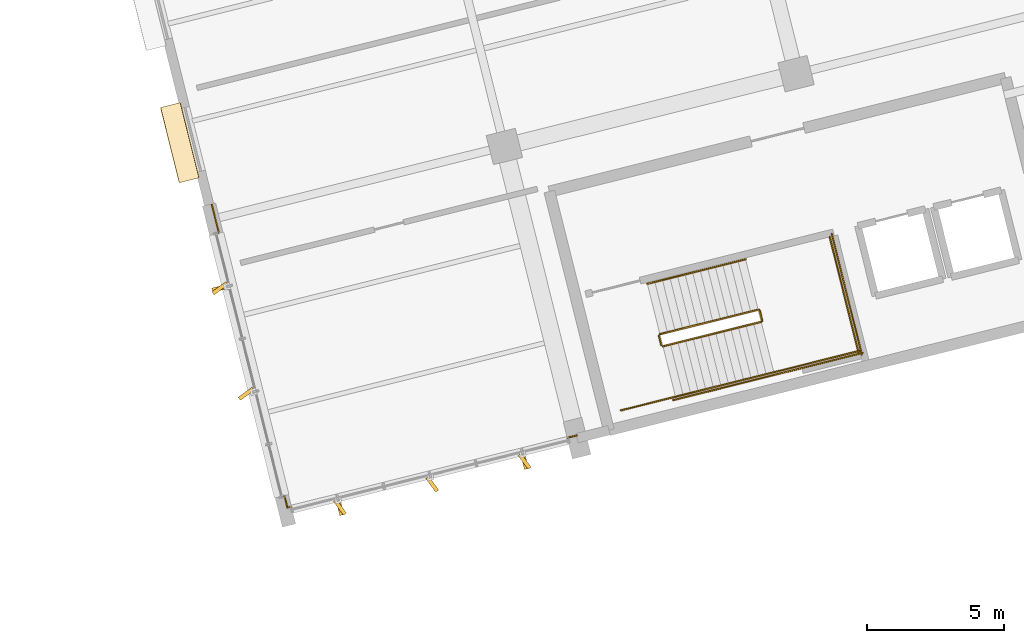
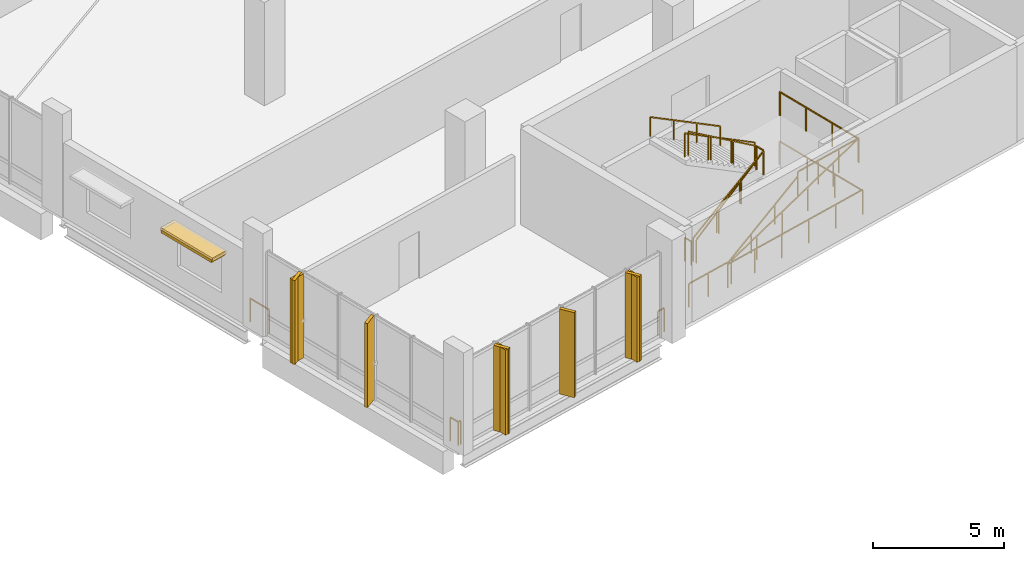
# One storey, part 132 of 137: 16 railings, 6 shading devices, 4 coverings.
"""IFC4 building model written with IfcOpenShell, lengths in metres."""

from ifc_helpers import new_model, si_unit, direction, frame, origin, origin_2d, place, context, subcontext, project, spatial, rectangle, extrude, material, layer, layer_set, type_object, element, save


model = new_model("IFC4")

# Units and contexts
model_context = context("Model", 3, precision=1e-05, world=origin(), true_north=direction((0.0, 1.0)))
body_context = subcontext(model_context, "Body", "Model", "MODEL_VIEW")
ifc_project = project(units=[si_unit("LENGTHUNIT", "METRE"), si_unit("AREAUNIT", "SQUARE_METRE"), si_unit("VOLUMEUNIT", "CUBIC_METRE"), si_unit("PLANEANGLEUNIT", "RADIAN"), si_unit("MASSUNIT", "GRAM", prefix="KILO")], contexts=[model_context])

# Site, building, storey
site_placement = place(None, origin())
site = spatial("IfcSite", under=ifc_project, at=site_placement, CompositionType="ELEMENT")
building_placement = place(site_placement, origin())
building = spatial("IfcBuilding", under=site, at=building_placement, Name="Khorjan Park Terminus", CompositionType="ELEMENT")
storey_placement = place(building_placement, frame((0.0, 0.0, 11.4)))
storey = spatial("IfcBuildingStorey", under=building, at=storey_placement, Name="L02", CompositionType="ELEMENT", Elevation=11.4)

# Coverings
ifc_material_1 = material(Name="Pigmented Precast GRC", Category="concrete")
ifc_layer_1 = layer(ifc_material_1, 0.16)
ifc_layer_set_1 = layer_set([ifc_layer_1], Name="Pigmented Precast GRC")
covering_type_1 = type_object("IfcCoveringType", Name="CV-FIN-GRC", PredefinedType="CLADDING", material=ifc_layer_set_1)
for number, where, z_axis, x_axis, name in (
    (1, (167.9974, 2.132, -0.02), (0.0, 0.0, 1.0), (-0.2419218956, 0.970295726276, 0.0), "Projecting desert-sandstone GRC facade fin CL-FN1 (CW-V5-S-L02-B01-1)"),
    (2, (174.7504, 3.8158, -0.02), (0.0, 0.0, 1.0), (-0.2419218956, 0.970295726276, 0.0), "Projecting desert-sandstone GRC facade fin CL-FN1 (CW-V5-S-L02-B01-5)"),
):
    element("IfcCovering", number, at=place(storey_placement, frame(where, z_axis=z_axis, x_axis=x_axis)), inside=storey, type_object=covering_type_1, Name=name, PredefinedType="CLADDING", context=body_context, shape_type="SweptSolid", body=[
        extrude(rectangle(XDim=0.58, YDim=0.16, at=origin_2d()), origin(), (0.0, 0.0, 1.0), 3.955),
    ])
covering_1_placement = place(storey_placement, frame((163.6036, 10.1439, -0.02), z_axis=(0.0, 0.0, 1.0), x_axis=(0.970295726276, 0.2419218956, 0.0)))
element("IfcCovering", 3, at=covering_1_placement, inside=storey, type_object=covering_type_1, Name="Projecting desert-sandstone GRC facade fin CL-FN1 (CW-V5-W-L02-B03-1)", PredefinedType="CLADDING", context=body_context, shape_type="SweptSolid", body=[
    extrude(rectangle(XDim=0.58, YDim=0.16, at=origin_2d()), origin(), (0.0, 0.0, 1.0), 3.905),
])
ifc_layer_2 = layer(ifc_material_1, 0.18)
ifc_layer_set_2 = layer_set([ifc_layer_2], Name="Pigmented Precast GRC")
covering_type_2 = type_object("IfcCoveringType", Name="CV-HOOD-GRC", PredefinedType="CLADDING", material=ifc_layer_set_2)
covering_2_placement = place(storey_placement, frame((162.1359, 15.4726, 2.73), z_axis=(0.0, 0.0, 1.0), x_axis=(0.241931398531, -0.97029335688, 0.0)))
element("IfcCovering", 4, at=covering_2_placement, inside=storey, type_object=covering_type_2, Name="Projecting desert-sandstone GRC window eyebrow CL-HD1 (EW-V5-W-L02-B02-2)", PredefinedType="CLADDING", context=body_context, shape_type="SweptSolid", body=[
    extrude(rectangle(XDim=2.84, YDim=0.74, at=origin_2d()), origin(), (0.0, 0.0, 1.0), 0.16),
])

# Railings
ifc_material_2 = material(Name="Steel S355", Category="steel")
railing_type_1 = type_object("IfcRailingType", Name="GR-112", PredefinedType="GUARDRAIL", material=ifc_material_2)
railing_1_placement = place(storey_placement, frame((179.8138, 8.0206, 0.1714)))
element("IfcRailing", 5, at=railing_1_placement, inside=storey, type_object=railing_type_1, Name="L02 ST-03 stair guard 1", PredefinedType="GUARDRAIL", context=body_context, shape_type="SweptSolid", body=[
    extrude(rectangle(XDim=0.048, YDim=0.048, at=origin_2d()), frame((0.0, 0.0, 1.096), z_axis=(0.831460339985, 0.207327338386, 0.515450364041), x_axis=(-0.241944959275, 0.970289975565, 0.0)), (0.0, 0.0, 1.0), 4.3236),
    extrude(rectangle(XDim=0.042, YDim=0.042, at=origin_2d()), origin(), (0.0, 0.0, 1.0), 1.072),
    extrude(rectangle(XDim=0.042, YDim=0.042, at=origin_2d()), frame((1.1983, 0.2988, 0.7429)), (0.0, 0.0, 1.0), 1.072),
    extrude(rectangle(XDim=0.042, YDim=0.042, at=origin_2d()), frame((2.3966, 0.5976, 1.4857)), (0.0, 0.0, 1.0), 1.072),
    extrude(rectangle(XDim=0.042, YDim=0.042, at=origin_2d()), frame((3.5949, 0.8964, 2.2286)), (0.0, 0.0, 1.0), 1.072),
])
railing_2_placement = place(storey_placement, frame((183.4451, 8.9776, 2.4)))
element("IfcRailing", 6, at=railing_2_placement, inside=storey, type_object=railing_type_1, Name="L02 ST-03 stair guard 2", PredefinedType="GUARDRAIL", context=body_context, shape_type="SweptSolid", body=[
    extrude(rectangle(XDim=0.048, YDim=0.048, at=origin_2d()), frame((0.0, 0.0, 1.096), z_axis=(-0.241947338122, 0.970289382388, 0.0), x_axis=(-0.970289382388, -0.241947338122, 0.0)), (0.0, 0.0, 1.0), 0.36),
    extrude(rectangle(XDim=0.042, YDim=0.042, at=origin_2d()), origin(), (0.0, 0.0, 1.0), 1.072),
    extrude(rectangle(XDim=0.042, YDim=0.042, at=origin_2d()), frame((-0.0871, 0.3493, 0.0)), (0.0, 0.0, 1.0), 1.072),
])
railing_3_placement = place(storey_placement, frame((183.8684, 7.0734, 2.4)))
element("IfcRailing", 7, at=railing_3_placement, inside=storey, type_object=railing_type_1, Name="L02 ST-03 stair guard 3", PredefinedType="GUARDRAIL", context=body_context, shape_type="SweptSolid", body=[
    extrude(rectangle(XDim=0.048, YDim=0.048, at=origin_2d()), frame((0.0, 0.0, 1.096), z_axis=(0.970296863168, 0.241917335728, 0.0), x_axis=(-0.241917335728, 0.970296863168, 0.0)), (0.0, 0.0, 1.0), 3.235),
    extrude(rectangle(XDim=0.042, YDim=0.042, at=origin_2d()), origin(), (0.0, 0.0, 1.0), 1.072),
    extrude(rectangle(XDim=0.042, YDim=0.042, at=origin_2d()), frame((1.0463, 0.2609, 0.0)), (0.0, 0.0, 1.0), 1.072),
    extrude(rectangle(XDim=0.042, YDim=0.042, at=origin_2d()), frame((2.0926, 0.5217, 0.0)), (0.0, 0.0, 1.0), 1.072),
    extrude(rectangle(XDim=0.042, YDim=0.042, at=origin_2d()), frame((3.1389, 0.7826, 0.0)), (0.0, 0.0, 1.0), 1.072),
])
railing_4_placement = place(storey_placement, frame((186.9708, 7.7954, 2.4)))
element("IfcRailing", 8, at=railing_4_placement, inside=storey, type_object=railing_type_1, Name="L02 ST-03 stair guard 4", PredefinedType="GUARDRAIL", context=body_context, shape_type="SweptSolid", body=[
    extrude(rectangle(XDim=0.048, YDim=0.048, at=origin_2d()), frame((0.0, 0.0, 1.096), z_axis=(-0.241904163851, 0.970300147125, 0.0), x_axis=(-0.970300147125, -0.241904163851, 0.0)), (0.0, 0.0, 1.0), 4.36),
    extrude(rectangle(XDim=0.042, YDim=0.042, at=origin_2d()), origin(), (0.0, 0.0, 1.0), 1.072),
    extrude(rectangle(XDim=0.042, YDim=0.042, at=origin_2d()), frame((-0.3516, 1.4102, 0.0)), (0.0, 0.0, 1.0), 1.072),
    extrude(rectangle(XDim=0.042, YDim=0.042, at=origin_2d()), frame((-0.7031, 2.8203, 0.0)), (0.0, 0.0, 1.0), 1.072),
    extrude(rectangle(XDim=0.042, YDim=0.042, at=origin_2d()), frame((-1.0547, 4.2305, 0.0)), (0.0, 0.0, 1.0), 1.072),
])
railing_5_placement = place(storey_placement, frame((183.2974, 9.3633, 2.5714)))
element("IfcRailing", 9, at=railing_5_placement, inside=storey, type_object=railing_type_1, Name="L02 ST-03 stair guard 5", PredefinedType="GUARDRAIL", context=body_context, shape_type="SweptSolid", body=[
    extrude(rectangle(XDim=0.048, YDim=0.048, at=origin_2d()), frame((0.0, 0.0, 1.096), z_axis=(-0.831464326852, -0.207305203526, 0.515452835634), x_axis=(0.241919548256, -0.970296311531, 0.0)), (0.0, 0.0, 1.0), 4.3236),
    extrude(rectangle(XDim=0.042, YDim=0.042, at=origin_2d()), origin(), (0.0, 0.0, 1.0), 1.072),
    extrude(rectangle(XDim=0.042, YDim=0.042, at=origin_2d()), frame((-1.1983, -0.2988, 0.7429)), (0.0, 0.0, 1.0), 1.072),
    extrude(rectangle(XDim=0.042, YDim=0.042, at=origin_2d()), frame((-2.3966, -0.5975, 1.4857)), (0.0, 0.0, 1.0), 1.072),
    extrude(rectangle(XDim=0.042, YDim=0.042, at=origin_2d()), frame((-3.5949, -0.8963, 2.2286)), (0.0, 0.0, 1.0), 1.072),
])
railing_6_placement = place(storey_placement, frame((179.7532, 8.0571, 0.0)))
element("IfcRailing", 10, at=railing_6_placement, inside=storey, type_object=railing_type_1, Name="L02 ST-03 stair guard 6", PredefinedType="GUARDRAIL", context=body_context, shape_type="SweptSolid", body=[
    extrude(rectangle(XDim=0.048, YDim=0.048, at=origin_2d()), frame((0.0, 0.0, 1.096), z_axis=(-0.241947338122, 0.970289382388, 0.0), x_axis=(-0.970289382388, -0.241947338122, 0.0)), (0.0, 0.0, 1.0), 0.36),
    extrude(rectangle(XDim=0.042, YDim=0.042, at=origin_2d()), origin(), (0.0, 0.0, 1.0), 1.072),
    extrude(rectangle(XDim=0.042, YDim=0.042, at=origin_2d()), frame((-0.0871, 0.3493, 0.0)), (0.0, 0.0, 1.0), 1.072),
])
railing_7_placement = place(storey_placement, frame((178.2746, 5.6787, 0.0)))
element("IfcRailing", 11, at=railing_7_placement, inside=storey, type_object=railing_type_1, Name="L02 ST-03 stair guard 7", PredefinedType="GUARDRAIL", context=body_context, shape_type="SweptSolid", body=[
    extrude(rectangle(XDim=0.048, YDim=0.048, at=origin_2d()), frame((0.0, 0.0, 1.096), z_axis=(0.97029080484, 0.241941633546, 0.0), x_axis=(-0.241941633546, 0.97029080484, 0.0)), (0.0, 0.0, 1.0), 2.06),
    extrude(rectangle(XDim=0.042, YDim=0.042, at=origin_2d()), origin(), (0.0, 0.0, 1.0), 1.072),
    extrude(rectangle(XDim=0.042, YDim=0.042, at=origin_2d()), frame((0.9994, 0.2492, 0.0)), (0.0, 0.0, 1.0), 1.072),
    extrude(rectangle(XDim=0.042, YDim=0.042, at=origin_2d()), frame((1.9988, 0.4984, 0.0)), (0.0, 0.0, 1.0), 1.072),
])
railing_8_placement = place(storey_placement, frame((180.2006, 6.0559, 0.0)))
element("IfcRailing", 12, at=railing_8_placement, inside=storey, type_object=railing_type_1, Name="L02 ST-03 stair guard 8", PredefinedType="GUARDRAIL", context=body_context, shape_type="SweptSolid", body=[
    extrude(rectangle(XDim=0.048, YDim=0.048, at=origin_2d()), frame((0.0, 0.0, 1.096), z_axis=(0.970296366402, 0.241919328178, 0.0), x_axis=(-0.241919328178, 0.970296366402, 0.0)), (0.0, 0.0, 1.0), 7.14),
    extrude(rectangle(XDim=0.042, YDim=0.042, at=origin_2d()), origin(), (0.0, 0.0, 1.0), 1.072),
    extrude(rectangle(XDim=0.042, YDim=0.042, at=origin_2d()), frame((1.3856, 0.3455, 0.0)), (0.0, 0.0, 1.0), 1.072),
    extrude(rectangle(XDim=0.042, YDim=0.042, at=origin_2d()), frame((2.7712, 0.6909, 0.0)), (0.0, 0.0, 1.0), 1.072),
    extrude(rectangle(XDim=0.042, YDim=0.042, at=origin_2d()), frame((4.1567, 1.0364, 0.0)), (0.0, 0.0, 1.0), 1.072),
    extrude(rectangle(XDim=0.042, YDim=0.042, at=origin_2d()), frame((5.5423, 1.3818, 0.0)), (0.0, 0.0, 1.0), 1.072),
    extrude(rectangle(XDim=0.042, YDim=0.042, at=origin_2d()), frame((6.9279, 1.7273, 0.0)), (0.0, 0.0, 1.0), 1.072),
])
railing_9_placement = place(storey_placement, frame((187.0921, 7.7226, 0.0)))
element("IfcRailing", 13, at=railing_9_placement, inside=storey, type_object=railing_type_1, Name="L02 ST-03 stair guard 9", PredefinedType="GUARDRAIL", context=body_context, shape_type="SweptSolid", body=[
    extrude(rectangle(XDim=0.048, YDim=0.048, at=origin_2d()), frame((0.0, 0.0, 1.096), z_axis=(-0.24193185783, 0.970293242359, 0.0), x_axis=(-0.970293242359, -0.24193185783, 0.0)), (0.0, 0.0, 1.0), 4.56),
    extrude(rectangle(XDim=0.042, YDim=0.042, at=origin_2d()), origin(), (0.0, 0.0, 1.0), 1.072),
    extrude(rectangle(XDim=0.042, YDim=0.042, at=origin_2d()), frame((-0.3677, 1.4748, 0.0)), (0.0, 0.0, 1.0), 1.072),
    extrude(rectangle(XDim=0.042, YDim=0.042, at=origin_2d()), frame((-0.7355, 2.9497, 0.0)), (0.0, 0.0, 1.0), 1.072),
    extrude(rectangle(XDim=0.042, YDim=0.042, at=origin_2d()), frame((-1.1032, 4.4245, 0.0)), (0.0, 0.0, 1.0), 1.072),
])
railing_10_placement = place(storey_placement, frame((179.986, 8.0739, 0.0)))
element("IfcRailing", 14, at=railing_10_placement, inside=storey, type_object=railing_type_1, Name="Core K3 stair well slot guard GR-112 (L02)", PredefinedType="GUARDRAIL", context=body_context, shape_type="SweptSolid", body=[
    extrude(rectangle(XDim=0.048, YDim=0.048, at=origin_2d()), frame((0.0, 0.0, 1.096), z_axis=(0.804896749793, 0.200671549542, 0.558455147149), x_axis=(-0.241908560486, 0.970299050996, 0.0)), (0.0, 0.0, 1.0), 4.2976),
    extrude(rectangle(XDim=0.048, YDim=0.048, at=origin_2d()), frame((3.4591, 0.8624, 3.496), z_axis=(-0.241786986316, 0.970329352977, 0.0), x_axis=(-0.970329352977, -0.241786986316, 0.0)), (0.0, 0.0, 1.0), 0.4401),
    extrude(rectangle(XDim=0.048, YDim=0.048, at=origin_2d()), frame((3.3527, 1.2894, 3.496), z_axis=(-0.804901185035, -0.200690122598, 0.558442080274), x_axis=(0.241928384724, -0.970294108333, 0.0)), (0.0, 0.0, 1.0), 4.2977),
    extrude(rectangle(XDim=0.042, YDim=0.042, at=origin_2d()), origin(), (0.0, 0.0, 1.0), 1.072),
    extrude(rectangle(XDim=0.042, YDim=0.042, at=origin_2d()), frame((1.153, 0.2875, 0.8)), (0.0, 0.0, 1.0), 1.072),
    extrude(rectangle(XDim=0.042, YDim=0.042, at=origin_2d()), frame((2.3061, 0.5749, 1.6)), (0.0, 0.0, 1.0), 1.072),
    extrude(rectangle(XDim=0.042, YDim=0.042, at=origin_2d()), frame((3.4591, 0.8624, 2.4)), (0.0, 0.0, 1.0), 1.072),
    extrude(rectangle(XDim=0.042, YDim=0.042, at=origin_2d()), frame((3.3527, 1.2894, 2.4)), (0.0, 0.0, 1.0), 1.072),
    extrude(rectangle(XDim=0.042, YDim=0.042, at=origin_2d()), frame((2.1996, 1.0019, 3.2)), (0.0, 0.0, 1.0), 1.072),
    extrude(rectangle(XDim=0.042, YDim=0.042, at=origin_2d()), frame((1.0466, 0.7144, 4.0)), (0.0, 0.0, 1.0), 1.072),
    extrude(rectangle(XDim=0.042, YDim=0.042, at=origin_2d()), frame((-0.1065, 0.4269, 4.8)), (0.0, 0.0, 1.0), 1.072),
])
railing_11_placement = place(storey_placement, frame((180.4505, 6.2109, 0.0)))
element("IfcRailing", 15, at=railing_11_placement, inside=storey, type_object=railing_type_1, Name="Core K3 stair side & landing guard GR-112 (L02)", PredefinedType="GUARDRAIL", context=body_context, shape_type="SweptSolid", body=[
    extrude(rectangle(XDim=0.048, YDim=0.048, at=origin_2d()), frame((0.0, 0.0, 1.096), z_axis=(0.913768887893, 0.227825605952, 0.336336011739), x_axis=(-0.241919330403, 0.970296365848, 0.0)), (0.0, 0.0, 1.0), 7.1357),
    extrude(rectangle(XDim=0.048, YDim=0.048, at=origin_2d()), frame((6.5204, 1.6257, 3.496), z_axis=(-0.2419363556, 0.970292120879, 0.0), x_axis=(-0.970292120879, -0.2419363556, 0.0)), (0.0, 0.0, 1.0), 4.2801),
    extrude(rectangle(XDim=0.042, YDim=0.042, at=origin_2d()), origin(), (0.0, 0.0, 1.0), 1.072),
    extrude(rectangle(XDim=0.042, YDim=0.042, at=origin_2d()), frame((1.3041, 0.3251, 0.48)), (0.0, 0.0, 1.0), 1.072),
    extrude(rectangle(XDim=0.042, YDim=0.042, at=origin_2d()), frame((2.6082, 0.6503, 0.96)), (0.0, 0.0, 1.0), 1.072),
    extrude(rectangle(XDim=0.042, YDim=0.042, at=origin_2d()), frame((3.9122, 0.9754, 1.44)), (0.0, 0.0, 1.0), 1.072),
    extrude(rectangle(XDim=0.042, YDim=0.042, at=origin_2d()), frame((5.2163, 1.3006, 1.92)), (0.0, 0.0, 1.0), 1.072),
    extrude(rectangle(XDim=0.042, YDim=0.042, at=origin_2d()), frame((6.5204, 1.6257, 2.4)), (0.0, 0.0, 1.0), 1.072),
    extrude(rectangle(XDim=0.042, YDim=0.042, at=origin_2d()), frame((6.1752, 3.01, 2.4)), (0.0, 0.0, 1.0), 1.072),
    extrude(rectangle(XDim=0.042, YDim=0.042, at=origin_2d()), frame((5.8301, 4.3943, 2.4)), (0.0, 0.0, 1.0), 1.072),
    extrude(rectangle(XDim=0.042, YDim=0.042, at=origin_2d()), frame((5.4849, 5.7786, 2.4)), (0.0, 0.0, 1.0), 1.072),
])
railing_12_placement = place(storey_placement, frame((163.5642, 12.1829, 0.0)))
element("IfcRailing", 16, at=railing_12_placement, inside=storey, type_object=railing_type_1, Name="Perimeter safety guard GR-112 (L02-60)", PredefinedType="GUARDRAIL", context=body_context, shape_type="SweptSolid", body=[
    extrude(rectangle(XDim=0.048, YDim=0.048, at=origin_2d()), frame((0.0, 0.0, 1.096), z_axis=(-0.241905143446, 0.970299902903, 0.0), x_axis=(-0.970299902903, -0.241905143446, 0.0)), (0.0, 0.0, 1.0), 1.045),
    extrude(rectangle(XDim=0.042, YDim=0.042, at=origin_2d()), origin(), (0.0, 0.0, 1.0), 1.072),
    extrude(rectangle(XDim=0.042, YDim=0.042, at=origin_2d()), frame((-0.2528, 1.014, 0.0)), (0.0, 0.0, 1.0), 1.072),
])
railing_13_placement = place(storey_placement, frame((166.199, 2.1527, 0.0)))
element("IfcRailing", 17, at=railing_13_placement, inside=storey, type_object=railing_type_1, Name="Perimeter safety guard GR-112 (L02-61)", PredefinedType="GUARDRAIL", context=body_context, shape_type="SweptSolid", body=[
    extrude(rectangle(XDim=0.048, YDim=0.048, at=origin_2d()), frame((0.0, 0.0, 1.096), z_axis=(-0.970232880422, -0.242173817221, 0.0), x_axis=(0.242173817221, -0.970232880422, 0.0)), (0.0, 0.0, 1.0), 0.1301),
    extrude(rectangle(XDim=0.048, YDim=0.048, at=origin_2d()), frame((-0.1262, -0.0315, 1.096), z_axis=(-0.24182431188, 0.970320051418, 0.0), x_axis=(-0.970320051418, -0.24182431188, 0.0)), (0.0, 0.0, 1.0), 0.4301),
    extrude(rectangle(XDim=0.042, YDim=0.042, at=origin_2d()), origin(), (0.0, 0.0, 1.0), 1.072),
    extrude(rectangle(XDim=0.042, YDim=0.042, at=origin_2d()), frame((-0.1262, -0.0315, 0.0)), (0.0, 0.0, 1.0), 1.072),
    extrude(rectangle(XDim=0.042, YDim=0.042, at=origin_2d()), frame((-0.2302, 0.3858, 0.0)), (0.0, 0.0, 1.0), 1.072),
])
railing_14_placement = place(storey_placement, frame((176.6491, 4.7582, 0.0)))
element("IfcRailing", 18, at=railing_14_placement, inside=storey, type_object=railing_type_1, Name="Perimeter safety guard GR-112 (L02-62)", PredefinedType="GUARDRAIL", context=body_context, shape_type="SweptSolid", body=[
    extrude(rectangle(XDim=0.048, YDim=0.048, at=origin_2d()), frame((0.0, 0.0, 1.096), z_axis=(-0.970302565874, -0.24189446182, 0.0), x_axis=(0.24189446182, -0.970302565874, 0.0)), (0.0, 0.0, 1.0), 0.3303),
    extrude(rectangle(XDim=0.042, YDim=0.042, at=origin_2d()), origin(), (0.0, 0.0, 1.0), 1.072),
    extrude(rectangle(XDim=0.042, YDim=0.042, at=origin_2d()), frame((-0.3205, -0.0799, 0.0)), (0.0, 0.0, 1.0), 1.072),
])
railing_type_2 = type_object("IfcRailingType", Name="HR-92", PredefinedType="HANDRAIL", material=ifc_material_2)
railing_15_placement = place(storey_placement, frame((180.2734, 6.1771, 0.1714)))
element("IfcRailing", 19, at=railing_15_placement, inside=storey, type_object=railing_type_2, Name="L02 ST-03 stair handrail 1", PredefinedType="HANDRAIL", context=body_context, shape_type="SweptSolid", body=[
    extrude(rectangle(XDim=0.048, YDim=0.048, at=origin_2d()), frame((0.0, 0.0, 0.896), z_axis=(0.831471465806, 0.207301216913, 0.515442923142), x_axis=(-0.241913212742, 0.970297891114, 0.0)), (0.0, 0.0, 1.0), 4.3237),
    extrude(rectangle(XDim=0.042, YDim=0.042, at=origin_2d()), origin(), (0.0, 0.0, 1.0), 0.872),
    extrude(rectangle(XDim=0.042, YDim=0.042, at=origin_2d()), frame((1.1983, 0.2988, 0.7429)), (0.0, 0.0, 1.0), 0.872),
    extrude(rectangle(XDim=0.042, YDim=0.042, at=origin_2d()), frame((2.3967, 0.5975, 1.4857)), (0.0, 0.0, 1.0), 0.872),
    extrude(rectangle(XDim=0.042, YDim=0.042, at=origin_2d()), frame((3.595, 0.8963, 2.2286)), (0.0, 0.0, 1.0), 0.872),
])
railing_16_placement = place(storey_placement, frame((182.8378, 11.2069, 2.5714)))
element("IfcRailing", 20, at=railing_16_placement, inside=storey, type_object=railing_type_2, Name="L02 ST-03 stair handrail 2", PredefinedType="HANDRAIL", context=body_context, shape_type="SweptSolid", body=[
    extrude(rectangle(XDim=0.048, YDim=0.048, at=origin_2d()), frame((0.0, 0.0, 0.896), z_axis=(-0.831467479058, -0.207323351385, 0.515440451691), x_axis=(0.241938623177, -0.970291555469, 0.0)), (0.0, 0.0, 1.0), 4.3237),
    extrude(rectangle(XDim=0.042, YDim=0.042, at=origin_2d()), origin(), (0.0, 0.0, 1.0), 0.872),
    extrude(rectangle(XDim=0.042, YDim=0.042, at=origin_2d()), frame((-1.1983, -0.2988, 0.7429)), (0.0, 0.0, 1.0), 0.872),
    extrude(rectangle(XDim=0.042, YDim=0.042, at=origin_2d()), frame((-2.3967, -0.5976, 1.4857)), (0.0, 0.0, 1.0), 0.872),
    extrude(rectangle(XDim=0.042, YDim=0.042, at=origin_2d()), frame((-3.595, -0.8964, 2.2286)), (0.0, 0.0, 1.0), 0.872),
])

# Shading devices
ifc_material_3 = material(Name="Anodized Bronze Aluminium", Category="aluminium")
shading_device_type_1 = type_object("IfcShadingDeviceType", Name="SD-FIN-620", PredefinedType="JALOUSIE", material=ifc_material_3)
for number, where, z_axis, x_axis, name in (
    (21, (167.9974, 2.132, -0.02), (0.0, 0.0, 1.0), (-0.587785252292, 0.809016994375, 0.0), "Angled solar brise-soleil fin SF-62 (CW-V5-S-L02-B01-1)"),
    (22, (171.3739, 2.9739, -0.02), (0.0, 0.0, 1.0), (-0.587785252292, 0.809016994375, 0.0), "Angled solar brise-soleil fin SF-62 (CW-V5-S-L02-B01-3)"),
    (23, (174.7504, 3.8158, -0.02), (0.0, 0.0, 1.0), (-0.587785252292, 0.809016994375, 0.0), "Angled solar brise-soleil fin SF-62 (CW-V5-S-L02-B01-5)"),
):
    element("IfcShadingDevice", number, at=place(storey_placement, frame(where, z_axis=z_axis, x_axis=x_axis)), inside=storey, type_object=shading_device_type_1, Name=name, PredefinedType="JALOUSIE", context=body_context, shape_type="SweptSolid", body=[
        extrude(rectangle(XDim=0.62, YDim=0.14, at=origin_2d()), origin(), (0.0, 0.0, 1.0), 3.955),
    ])
for number, where, z_axis, x_axis, name in (
    (24, (163.6036, 10.1439, -0.02), (0.0, 0.0, 1.0), (0.809016994375, 0.587785252292, 0.0), "Angled solar brise-soleil fin SF-62 (CW-V5-W-L02-B03-1)"),
    (25, (164.5655, 6.2862, -0.02), (0.0, 0.0, 1.0), (0.809016994375, 0.587785252292, 0.0), "Angled solar brise-soleil fin SF-62 (CW-V5-W-L02-B03-3)"),
):
    element("IfcShadingDevice", number, at=place(storey_placement, frame(where, z_axis=z_axis, x_axis=x_axis)), inside=storey, type_object=shading_device_type_1, Name=name, PredefinedType="JALOUSIE", context=body_context, shape_type="SweptSolid", body=[
        extrude(rectangle(XDim=0.62, YDim=0.14, at=origin_2d()), origin(), (0.0, 0.0, 1.0), 3.905),
    ])
shading_device_type_2 = type_object("IfcShadingDeviceType", Name="SD-SUN-750", PredefinedType="SHUTTER", material=ifc_material_3)
shading_device_placement = place(storey_placement, frame((162.1359, 15.4726, 2.66), z_axis=(0.0, 0.0, 1.0), x_axis=(0.241931398531, -0.97029335688, 0.0)))
element("IfcShadingDevice", 26, at=shading_device_placement, inside=storey, type_object=shading_device_type_2, Name="Projecting solar overhang hood SH-75 (EW-V5-W-L02-B02-2)", PredefinedType="SHUTTER", context=body_context, shape_type="SweptSolid", body=[
    extrude(rectangle(XDim=2.76, YDim=0.76, at=origin_2d()), origin(), (0.0, 0.0, 1.0), 0.14),
])

save(model, "model.ifc")
